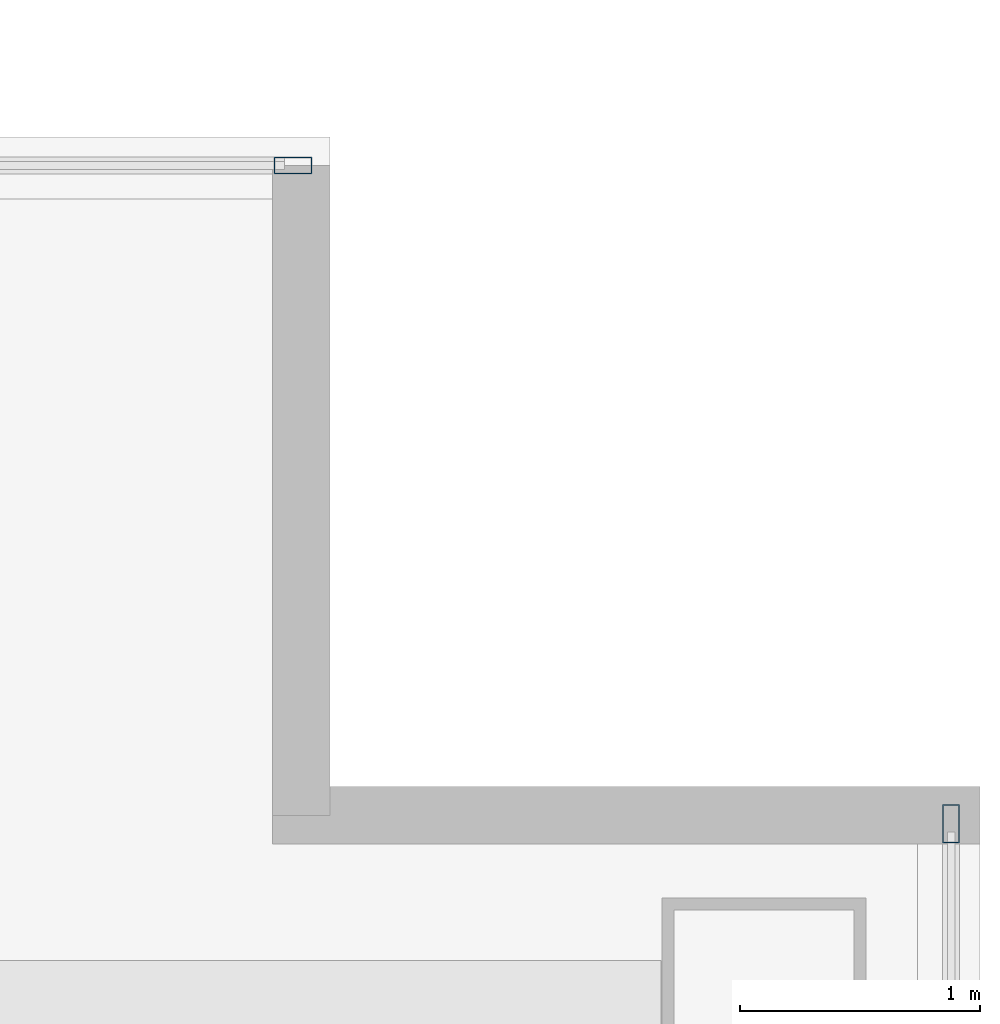
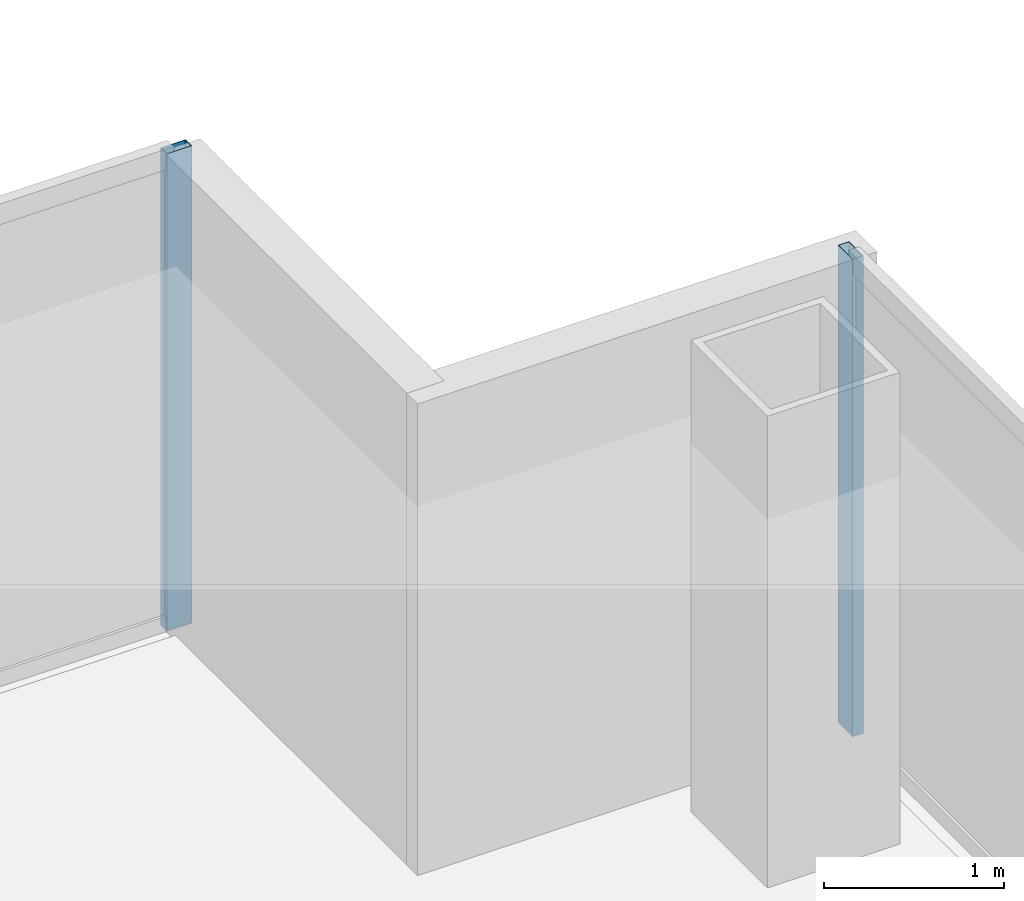
# One storey, part 16 of 23: 2 members, 2 elements without a shape of their own.
"""IFC4 building model written with IfcOpenShell, lengths in metres."""

from ifc_helpers import new_model, si_unit, direction, frame, origin, origin_2d, place, context, subcontext, project, spatial, hollow_rectangle, extrude, material, material_profile, profile_set, type_object, element, aggregate, save


model = new_model("IFC4")

# Units and contexts
model_context = context("Model", 3, precision=1e-05, world=origin(), true_north=direction((0.0, 1.0)))
body_context = subcontext(model_context, "Body", "Model", "MODEL_VIEW")
ifc_project = project(units=[si_unit("LENGTHUNIT", "METRE"), si_unit("AREAUNIT", "SQUARE_METRE"), si_unit("VOLUMEUNIT", "CUBIC_METRE"), si_unit("PLANEANGLEUNIT", "RADIAN"), si_unit("MASSUNIT", "GRAM", prefix="KILO")], contexts=[model_context])

# Site, building, storey
site_placement = place(None, origin())
site = spatial("IfcSite", under=ifc_project, at=site_placement, CompositionType="ELEMENT")
building_placement = place(site_placement, origin())
building = spatial("IfcBuilding", under=site, at=building_placement, Name="Cobrela Telecom Tower", CompositionType="ELEMENT")
storey_placement = place(building_placement, frame((0.0, 0.0, 173.25)))
storey = spatial("IfcBuildingStorey", under=building, at=storey_placement, Name="L43", CompositionType="ELEMENT", Elevation=173.25)

# Curtain wall, member
ifc_material = material(Name="Anodized Bronze Aluminium 6063-T6", Category="aluminium")
curtain_wall_type = type_object("IfcCurtainWallType", Name="CW-SYS-OFF-LO", PredefinedType="USERDEFINED", material=ifc_material)
curtain_wall_1_placement = place(storey_placement, origin())
curtain_wall_1 = element("IfcCurtainWall", 1, at=curtain_wall_1_placement, inside=storey, type_object=curtain_wall_type, Name="L43 Unitised Bronze Curtain Wall 11", ObjectType="UNITISED CURTAIN WALL", PredefinedType="USERDEFINED")
ifc_material_profile = material_profile(ifc_material, hollow_rectangle(XDim=0.070068359375, YDim=0.159912109375, WallThickness=0.00390625, at=origin_2d()), Name="ALU 70x160x4")
ifc_profile_set = profile_set([ifc_material_profile], Name="Anodized Bronze Aluminium 6063-T6")
member_type = type_object("IfcMemberType", Name="CW-SYS-OFF-LO-MUL", PredefinedType="MULLION", material=ifc_profile_set)
member_1_placement = place(storey_placement, frame((41.135009765625, 25.080078125, 0.0), z_axis=(0.0, 0.0, 1.0), x_axis=(0.0, 1.0, 0.0)))
member_1 = element("IfcMember", 2, at=member_1_placement, type_object=member_type, Name="CW-OFF-LO mullion 3", PredefinedType="MULLION", context=body_context, shape_type="SweptSolid", body=[
    extrude(hollow_rectangle(XDim=0.070068359375, YDim=0.159912109375, WallThickness=0.00390625, at=origin_2d()), origin(), (0.0, 0.0, 1.0), 3.239990234375),
])
aggregate(curtain_wall_1, [member_1])

curtain_wall_2_placement = place(storey_placement, origin())
curtain_wall_2 = element("IfcCurtainWall", 3, at=curtain_wall_2_placement, inside=storey, type_object=curtain_wall_type, Name="L43 Unitised Bronze Curtain Wall 14", ObjectType="UNITISED CURTAIN WALL", PredefinedType="USERDEFINED")
member_2_placement = place(storey_placement, frame((43.8798828125, 22.3349609375, 0.0), z_axis=(0.0, 0.0, 1.0), x_axis=(1.0, 0.0, 0.0)))
member_2 = element("IfcMember", 4, at=member_2_placement, type_object=member_type, Name="CW-OFF-LO mullion 1", PredefinedType="MULLION", context=body_context, shape_type="SweptSolid", body=[
    extrude(hollow_rectangle(XDim=0.070068359375, YDim=0.159912109375, WallThickness=0.00390625, at=origin_2d()), origin(), (0.0, 0.0, 1.0), 3.239990234375),
])
aggregate(curtain_wall_2, [member_2])

save(model, "model.ifc")
